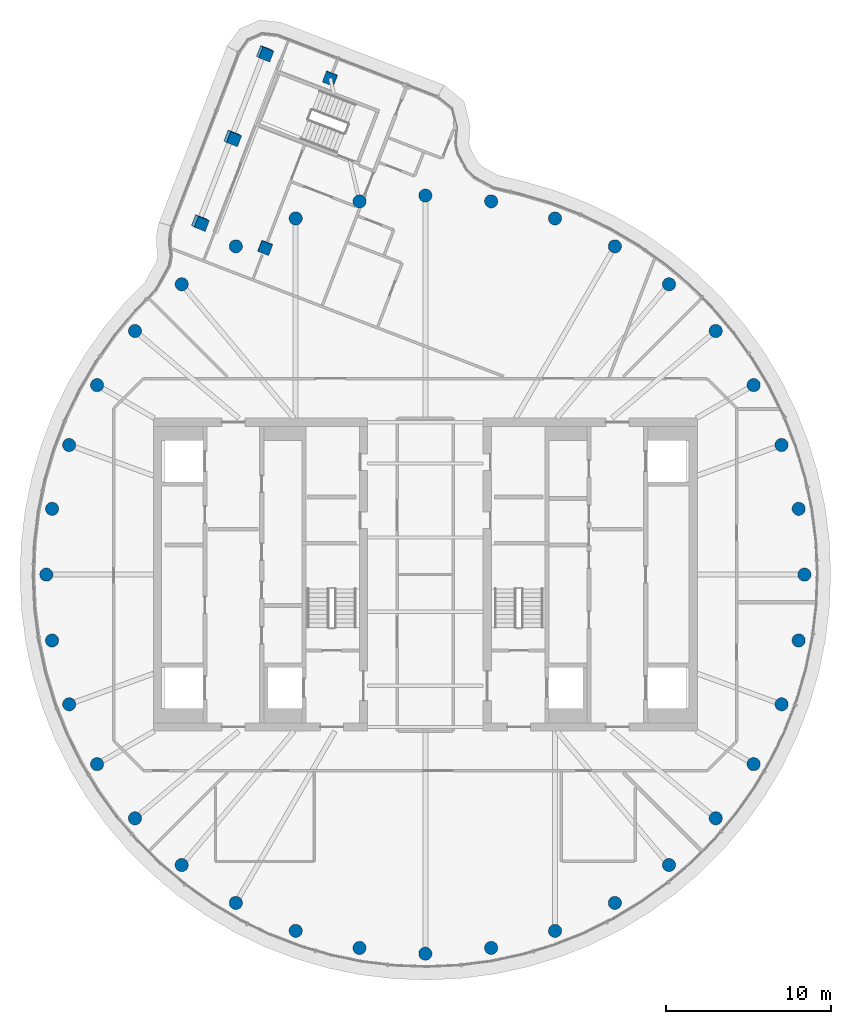
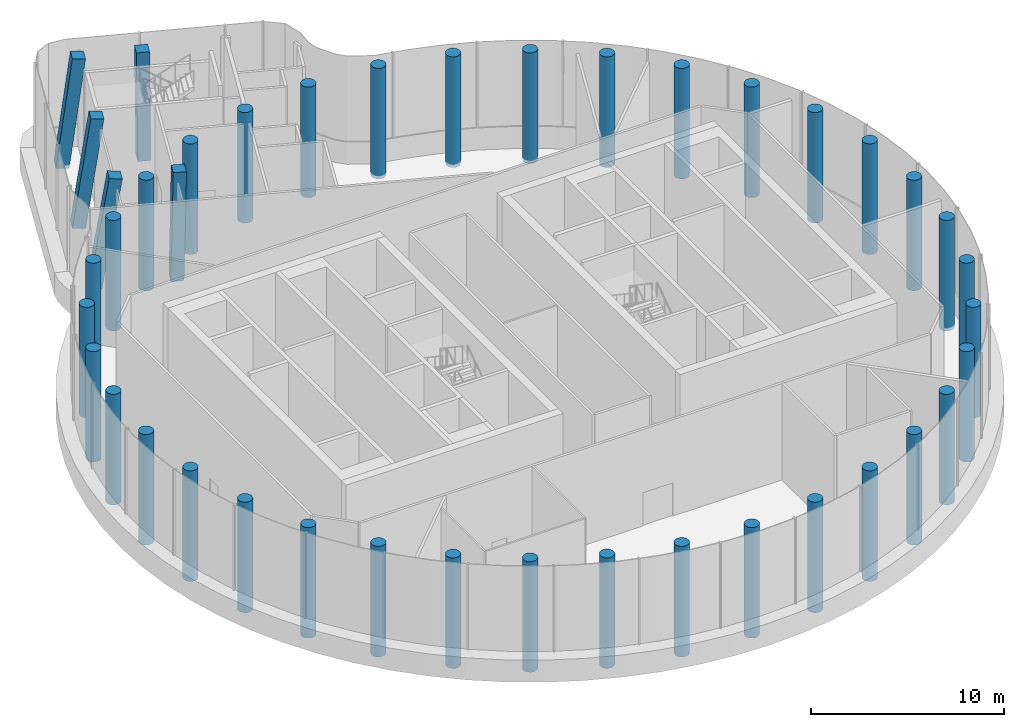
# One storey, part 1 of 12: 41 columns.
"""IFC4 building model written with IfcOpenShell, lengths in metres."""

from ifc_helpers import new_model, si_unit, direction, frame, origin, origin_2d, place, context, subcontext, project, spatial, rectangle, circle, extrude, material, material_profile, profile_set, type_object, element, save


model = new_model("IFC4")

# Units and contexts
model_context = context("Model", 3, precision=1e-05, world=origin(), true_north=direction((0.0, 1.0)))
body_context = subcontext(model_context, "Body", "Model", "MODEL_VIEW")
ifc_project = project(units=[si_unit("LENGTHUNIT", "METRE"), si_unit("AREAUNIT", "SQUARE_METRE"), si_unit("VOLUMEUNIT", "CUBIC_METRE"), si_unit("PLANEANGLEUNIT", "RADIAN"), si_unit("MASSUNIT", "GRAM", prefix="KILO")], contexts=[model_context])

# Site, building, storey
site_placement = place(None, origin())
site = spatial("IfcSite", under=ifc_project, at=site_placement, CompositionType="ELEMENT")
building_placement = place(site_placement, origin())
building = spatial("IfcBuilding", under=site, at=building_placement, Name="Tamarind Cross Interchange Tower", CompositionType="ELEMENT")
storey_placement = place(building_placement, frame((0.0, 0.0, 287.39990234375)))
storey = spatial("IfcBuildingStorey", under=building, at=storey_placement, Name="L72", CompositionType="ELEMENT", Elevation=287.39990234375)

# Columns
ifc_material = material(Name="Concrete C45", Category="concrete")
ifc_material_profile_1 = material_profile(ifc_material, rectangle(XDim=0.699951171875, YDim=0.699951171875, at=origin_2d()), Name="RC 700x700")
ifc_profile_set_1 = profile_set([ifc_material_profile_1], Name="Concrete C45")
column_type_1 = type_object("IfcColumnType", Name="Column RC 700x700 Concrete C45", PredefinedType="COLUMN", material=ifc_profile_set_1)
for number, where, z_axis, x_axis, name in (
    (1, (-9.721435546875, 19.846923828125, -0.197509765625), (0.005865590074, -0.025242985853, 0.999664136857), (0.357965981966, 0.933487722692, 0.021471547169), "Column L72-045"),
    (2, (-5.771728515625, 30.113525390625, -0.197509765625), (-0.020983445805, -0.015222599619, 0.999663927259), (0.933227947489, -0.359007194091, 0.014122061324), "Column L72-046"),
):
    element("IfcColumn", number, at=place(storey_placement, frame(where, z_axis=z_axis, x_axis=x_axis)), inside=storey, type_object=column_type_1, Name=name, PredefinedType="COLUMN", context=body_context, shape_type="SweptSolid", body=[
        extrude(rectangle(XDim=0.699951171875, YDim=0.699951171875, at=origin_2d()), origin(), (0.0, 0.0, 1.0), 6.99267578125),
    ])
column_1_placement = place(storey_placement, frame((-9.791015625, 31.65966796875, -0.19677734375), z_axis=(0.099765253387, -0.070820157286, 0.992487480797), x_axis=(0.360315472643, 0.932337986629, 0.030309055793)))
element("IfcColumn", 3, at=column_1_placement, inside=storey, type_object=column_type_1, Name="Column L72-047", PredefinedType="COLUMN", context=body_context, shape_type="SweptSolid", body=[
    extrude(rectangle(XDim=0.699951171875, YDim=0.699951171875, at=origin_2d()), origin(), (0.0, 0.0, 1.0), 7.04296875),
])
column_2_placement = place(storey_placement, frame((-11.765869140625, 26.526611328125, -0.197265625), z_axis=(0.112864554535, -0.075692971716, 0.990723052302), x_axis=(0.360731269334, 0.93218314241, 0.030125410066)))
element("IfcColumn", 4, at=column_2_placement, inside=storey, type_object=column_type_1, Name="Column L72-048", PredefinedType="COLUMN", context=body_context, shape_type="SweptSolid", body=[
    extrude(rectangle(XDim=0.699951171875, YDim=0.699951171875, at=origin_2d()), origin(), (0.0, 0.0, 1.0), 7.053955078125),
])
column_3_placement = place(storey_placement, frame((-13.74072265625, 21.393310546875, -0.197998046875), z_axis=(0.125902612845, -0.080503042791, 0.988770849176), x_axis=(0.360912108611, 0.932119282817, 0.029934803452)))
element("IfcColumn", 5, at=column_3_placement, inside=storey, type_object=column_type_1, Name="Column L72-049", PredefinedType="COLUMN", context=body_context, shape_type="SweptSolid", body=[
    extrude(rectangle(XDim=0.699951171875, YDim=0.699951171875, at=origin_2d()), origin(), (0.0, 0.0, 1.0), 7.066162109375),
])
ifc_material_profile_2 = material_profile(ifc_material, circle(Radius=0.39990234375, at=origin_2d()), Name="RC D800")
ifc_profile_set_2 = profile_set([ifc_material_profile_2], Name="Concrete C45")
column_type_2 = type_object("IfcColumnType", Name="Column RC D800 Concrete C45", PredefinedType="COLUMN", material=ifc_profile_set_2)
for number, where, z_axis, x_axis, name in (
    (6, (23.0, 0.0, -0.199951171875), (0.0, 0.0, 1.0), (1.0, 0.0, 0.0), "Column L72-000"),
    (7, (22.650634765625, 3.993896484375, -0.199951171875), (0.0, 0.0, 1.0), (1.0, 0.0, 0.0), "Column L72-001"),
    (8, (21.613037109375, 7.866455078125, -0.199951171875), (0.0, 0.0, 1.0), (1.0, 0.0, 0.0), "Column L72-002"),
    (9, (19.918701171875, 11.5, -0.199951171875), (0.0, 0.0, 1.0), (1.0, 0.0, 0.0), "Column L72-003"),
    (10, (17.619140625, 14.7841796875, -0.199951171875), (0.0, 0.0, 1.0), (1.0, 0.0, 0.0), "Column L72-004"),
    (11, (14.7841796875, 17.619140625, -0.199951171875), (0.0, 0.0, 1.0), (1.0, 0.0, 0.0), "Column L72-005"),
    (12, (11.5, 19.918701171875, -0.199951171875), (0.0, 0.0, 1.0), (1.0, 0.0, 0.0), "Column L72-006"),
    (13, (7.866455078125, 21.613037109375, -0.199951171875), (0.0, 0.0, 1.0), (1.0, 0.0, 0.0), "Column L72-007"),
    (14, (3.993896484375, 22.650634765625, -0.199951171875), (0.0, 0.0, 1.0), (1.0, 0.0, 0.0), "Column L72-008"),
    (15, (0.0, 23.0, -0.199951171875), (0.0, 0.0, 1.0), (1.0, 0.0, 0.0), "Column L72-009"),
    (16, (-3.993896484375, 22.650634765625, -0.199951171875), (0.0, 0.0, 1.0), (1.0, 0.0, 0.0), "Column L72-010"),
    (17, (-7.866455078125, 21.613037109375, -0.199951171875), (0.0, 0.0, 1.0), (1.0, 0.0, 0.0), "Column L72-011"),
    (18, (-11.5, 19.918701171875, -0.199951171875), (0.0, 0.0, 1.0), (1.0, 0.0, 0.0), "Column L72-012"),
    (19, (-14.7841796875, 17.619140625, -0.199951171875), (0.0, 0.0, 1.0), (1.0, 0.0, 0.0), "Column L72-013"),
    (20, (-17.619140625, 14.7841796875, -0.199951171875), (0.0, 0.0, 1.0), (1.0, 0.0, 0.0), "Column L72-014"),
    (21, (-19.918701171875, 11.5, -0.199951171875), (0.0, 0.0, 1.0), (1.0, 0.0, 0.0), "Column L72-015"),
    (22, (-21.613037109375, 7.866455078125, -0.199951171875), (0.0, 0.0, 1.0), (1.0, 0.0, 0.0), "Column L72-016"),
    (23, (-22.650634765625, 3.993896484375, -0.199951171875), (0.0, 0.0, 1.0), (1.0, 0.0, 0.0), "Column L72-017"),
    (24, (-23.0, 0.0, -0.199951171875), (0.0, 0.0, 1.0), (1.0, 0.0, 0.0), "Column L72-018"),
    (25, (-22.650634765625, -3.993896484375, -0.199951171875), (0.0, 0.0, 1.0), (1.0, 0.0, 0.0), "Column L72-019"),
    (26, (-21.613037109375, -7.866455078125, -0.199951171875), (0.0, 0.0, 1.0), (1.0, 0.0, 0.0), "Column L72-020"),
    (27, (-19.918701171875, -11.5, -0.199951171875), (0.0, 0.0, 1.0), (1.0, 0.0, 0.0), "Column L72-021"),
    (28, (-17.619140625, -14.7841796875, -0.199951171875), (0.0, 0.0, 1.0), (1.0, 0.0, 0.0), "Column L72-022"),
    (29, (-14.7841796875, -17.619140625, -0.199951171875), (0.0, 0.0, 1.0), (1.0, 0.0, 0.0), "Column L72-023"),
    (30, (-11.5, -19.918701171875, -0.199951171875), (0.0, 0.0, 1.0), (1.0, 0.0, 0.0), "Column L72-024"),
    (31, (-7.866455078125, -21.613037109375, -0.199951171875), (0.0, 0.0, 1.0), (1.0, 0.0, 0.0), "Column L72-025"),
    (32, (-3.993896484375, -22.650634765625, -0.199951171875), (0.0, 0.0, 1.0), (1.0, 0.0, 0.0), "Column L72-026"),
    (33, (0.0, -23.0, -0.199951171875), (0.0, 0.0, 1.0), (1.0, 0.0, 0.0), "Column L72-027"),
    (34, (3.993896484375, -22.650634765625, -0.199951171875), (0.0, 0.0, 1.0), (1.0, 0.0, 0.0), "Column L72-028"),
    (35, (7.866455078125, -21.613037109375, -0.199951171875), (0.0, 0.0, 1.0), (1.0, 0.0, 0.0), "Column L72-029"),
    (36, (11.5, -19.918701171875, -0.199951171875), (0.0, 0.0, 1.0), (1.0, 0.0, 0.0), "Column L72-030"),
    (37, (14.7841796875, -17.619140625, -0.199951171875), (0.0, 0.0, 1.0), (1.0, 0.0, 0.0), "Column L72-031"),
    (38, (17.619140625, -14.7841796875, -0.199951171875), (0.0, 0.0, 1.0), (1.0, 0.0, 0.0), "Column L72-032"),
    (39, (19.918701171875, -11.5, -0.199951171875), (0.0, 0.0, 1.0), (1.0, 0.0, 0.0), "Column L72-033"),
    (40, (21.613037109375, -7.866455078125, -0.199951171875), (0.0, 0.0, 1.0), (1.0, 0.0, 0.0), "Column L72-034"),
    (41, (22.650634765625, -3.993896484375, -0.199951171875), (0.0, 0.0, 1.0), (1.0, 0.0, 0.0), "Column L72-035"),
):
    element("IfcColumn", number, at=place(storey_placement, frame(where, z_axis=z_axis, x_axis=x_axis)), inside=storey, type_object=column_type_2, Name=name, PredefinedType="COLUMN", context=body_context, shape_type="SweptSolid", body=[
        extrude(circle(Radius=0.39990234375, at=origin_2d()), origin(), (0.0, 0.0, 1.0), 7.0),
    ])

save(model, "model.ifc")
